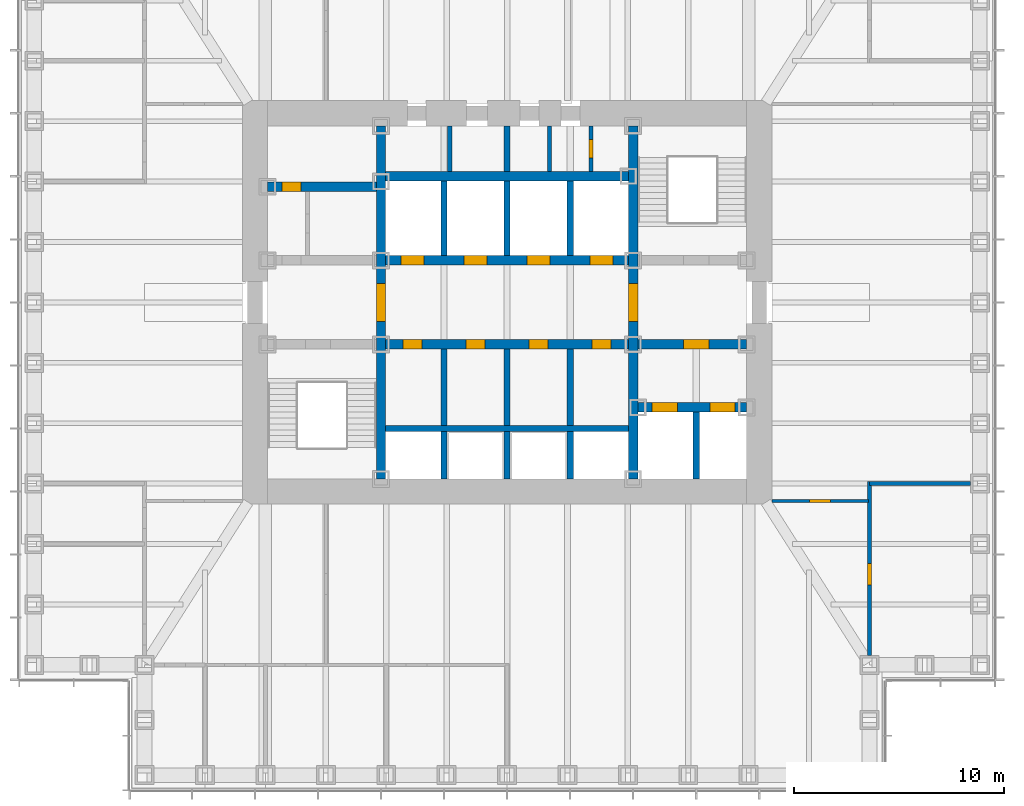
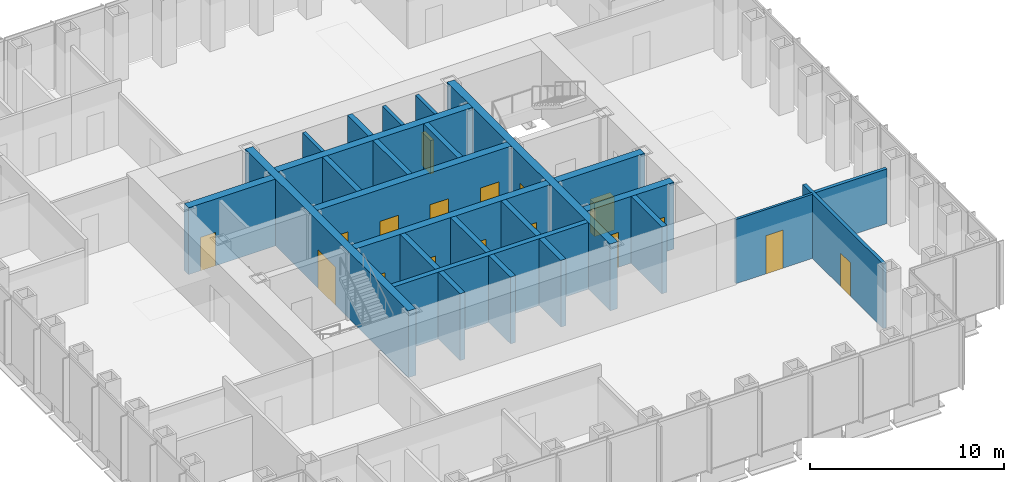
# One storey, part 9 of 17: 26 walls, 17 doors, 17 openings.
"""IFC4 building model written with IfcOpenShell, lengths in metres."""

from ifc_helpers import new_model, si_unit, direction, frame, frame_2d, origin, place, context, subcontext, project, spatial, rectangle, extrude, material, layer, layer_set, type_object, element, fill, save


model = new_model("IFC4")

# Units and contexts
model_context = context("Model", 3, precision=1e-05, world=origin(), true_north=direction((0.0, 1.0)))
body_context = subcontext(model_context, "Body", "Model", "MODEL_VIEW")
ifc_project = project(units=[si_unit("LENGTHUNIT", "METRE"), si_unit("AREAUNIT", "SQUARE_METRE"), si_unit("VOLUMEUNIT", "CUBIC_METRE"), si_unit("PLANEANGLEUNIT", "RADIAN"), si_unit("MASSUNIT", "GRAM", prefix="KILO")], contexts=[model_context])

# Site, building, storey
site_placement = place(None, origin())
site = spatial("IfcSite", under=ifc_project, at=site_placement, CompositionType="ELEMENT")
building_placement = place(site_placement, origin())
building = spatial("IfcBuilding", under=site, at=building_placement, Name="Daluyong Arena Tower", CompositionType="ELEMENT")
storey_placement = place(building_placement, frame((0.0, 0.0, 158.5)))
storey = spatial("IfcBuildingStorey", under=building, at=storey_placement, Name="L35", CompositionType="ELEMENT", Elevation=158.5)

# Wall, opening, door
ifc_material_1 = material(Name="Concrete fc' 45 MPa", Category="concrete")
ifc_layer_1 = layer(ifc_material_1, 0.449951171875)
ifc_layer_set_1 = layer_set([ifc_layer_1], Name="Concrete fc' 45 MPa")
wall_type_1 = type_object("IfcWallType", Name="Core inner wall 450", PredefinedType="SHEAR", material=ifc_layer_set_1)
wall_1_placement = place(storey_placement, frame((50.0, 71.60009765625, 0.0), z_axis=(0.0, 0.0, 1.0), x_axis=(0.0, 1.0, 0.0)))
wall_1 = element("IfcWall", 1, at=wall_1_placement, inside=storey, type_object=wall_type_1, Name="core inner wall at L35", PredefinedType="SHEAR", context=body_context, shape_type="SweptSolid", body=[
    extrude(rectangle(XDim=16.7998046875, YDim=0.449951171875, at=frame_2d((8.39990234375, 0.0))), origin(), (0.0, 0.0, 1.0), 4.199951171875),
])
opening_1_placement = place(wall_1_placement, frame((7.5, 0.0, 0.0)))
opening_1 = element("IfcOpeningElement", 2, at=opening_1_placement, cuts=wall_1, Name="Opening 35017", PredefinedType="OPENING", context=body_context, shape_type="SweptSolid", body=[
    extrude(rectangle(XDim=1.800048828125, YDim=2.39990234375, at=frame_2d((0.89990234375, 1.199951171875))), frame((0.0, 0.23486328125, 0.0), z_axis=(0.0, -1.0, 0.0), x_axis=(1.0, 0.0, 0.0)), (0.0, 0.0, 1.0), 0.469970703125),
])
ifc_material_2 = material(Name="Steel door, fire rated", Category="steel")
door_type_1 = type_object("IfcDoorType", Name="Lift lobby opening door 1800", OperationType="DOUBLE_DOOR_SINGLE_SWING", PredefinedType="DOOR", material=ifc_material_2)
door_1_placement = place(opening_1_placement, origin())
door_1 = element("IfcDoor", 3, at=door_1_placement, inside=storey, type_object=door_type_1, Name="lift lobby door west 35017", OperationType="DOUBLE_DOOR_SINGLE_SWING", OverallHeight=2.39990234375, OverallWidth=1.800048828125, PredefinedType="DOOR", context=body_context, shape_type="SweptSolid", body=[
    extrude(rectangle(XDim=1.800048828125, YDim=2.39990234375, at=frame_2d((0.89990234375, 1.199951171875))), frame((0.0, 0.224609375, 0.0), z_axis=(0.0, -1.0, 0.0), x_axis=(1.0, 0.0, 0.0)), (0.0, 0.0, 1.0), 0.449462890625),
])
fill(opening_1, door_1)

wall_2_placement = place(storey_placement, frame((62.0, 71.60009765625, 0.0), z_axis=(0.0, 0.0, 1.0), x_axis=(0.0, 1.0, 0.0)))
wall_2 = element("IfcWall", 4, at=wall_2_placement, inside=storey, type_object=wall_type_1, Name="core inner wall at L35", PredefinedType="SHEAR", context=body_context, shape_type="SweptSolid", body=[
    extrude(rectangle(XDim=16.7998046875, YDim=0.449951171875, at=frame_2d((8.39990234375, 0.0))), origin(), (0.0, 0.0, 1.0), 4.199951171875),
])
opening_2_placement = place(wall_2_placement, frame((7.5, 0.0, 0.0)))
opening_2 = element("IfcOpeningElement", 5, at=opening_2_placement, cuts=wall_2, Name="Opening 35018", PredefinedType="OPENING", context=body_context, shape_type="SweptSolid", body=[
    extrude(rectangle(XDim=1.800048828125, YDim=2.39990234375, at=frame_2d((0.89990234375, 1.199951171875))), frame((0.0, 0.23486328125, 0.0), z_axis=(0.0, -1.0, 0.0), x_axis=(1.0, 0.0, 0.0)), (0.0, 0.0, 1.0), 0.469970703125),
])
door_2_placement = place(opening_2_placement, origin())
door_2 = element("IfcDoor", 6, at=door_2_placement, inside=storey, type_object=door_type_1, Name="lift lobby door east 35018", OperationType="DOUBLE_DOOR_SINGLE_SWING", OverallHeight=2.39990234375, OverallWidth=1.800048828125, PredefinedType="DOOR", context=body_context, shape_type="SweptSolid", body=[
    extrude(rectangle(XDim=1.800048828125, YDim=2.39990234375, at=frame_2d((0.89990234375, 1.199951171875))), frame((0.0, 0.224609375, 0.0), z_axis=(0.0, -1.0, 0.0), x_axis=(1.0, 0.0, 0.0)), (0.0, 0.0, 1.0), 0.449462890625),
])
fill(opening_2, door_2)

wall_3_placement = place(storey_placement, frame((44.60009765625, 85.5, 0.0), z_axis=(0.0, 0.0, 1.0), x_axis=(1.0, 0.0, 0.0)))
wall_3 = element("IfcWall", 7, at=wall_3_placement, inside=storey, type_object=wall_type_1, Name="core inner wall at L35", PredefinedType="SHEAR", context=body_context, shape_type="SweptSolid", body=[
    extrude(rectangle(XDim=5.1748046875, YDim=0.449951171875, at=frame_2d((2.58740234375, 0.0))), origin(), (0.0, 0.0, 1.0), 4.199951171875),
])
opening_3_placement = place(wall_3_placement, frame((0.699951171875, 0.0, 0.0)))
opening_3 = element("IfcOpeningElement", 8, at=opening_3_placement, cuts=wall_3, Name="Opening 35003", PredefinedType="OPENING", context=body_context, shape_type="SweptSolid", body=[
    extrude(rectangle(XDim=0.89990234375, YDim=2.10009765625, at=frame_2d((0.449951171875, 1.050048828125))), frame((0.0, 0.23486328125, 0.0), z_axis=(0.0, -1.0, 0.0), x_axis=(1.0, 0.0, 0.0)), (0.0, 0.0, 1.0), 0.469970703125),
])
ifc_material_3 = material(Name="Timber door", Category="wood")
door_type_2 = type_object("IfcDoorType", Name="Toilet door 900", OperationType="SINGLE_SWING_RIGHT", PredefinedType="DOOR", material=ifc_material_3)
door_3_placement = place(opening_3_placement, origin())
door_3 = element("IfcDoor", 9, at=door_3_placement, inside=storey, type_object=door_type_2, Name="female toilet door 35003", OperationType="SINGLE_SWING_RIGHT", OverallHeight=2.10009765625, OverallWidth=0.89990234375, PredefinedType="DOOR", context=body_context, shape_type="SweptSolid", body=[
    extrude(rectangle(XDim=0.89990234375, YDim=2.10009765625, at=frame_2d((0.449951171875, 1.050048828125))), frame((0.0, 0.224609375, 0.0), z_axis=(0.0, -1.0, 0.0), x_axis=(1.0, 0.0, 0.0)), (0.0, 0.0, 1.0), 0.449462890625),
])
fill(opening_3, door_3)

# Wall, openings, doors
wall_4_placement = place(storey_placement, frame((62.22509765625, 75.0, 0.0), z_axis=(0.0, 0.0, 1.0), x_axis=(1.0, 0.0, 0.0)))
wall_4 = element("IfcWall", 10, at=wall_4_placement, inside=storey, type_object=wall_type_1, Name="core inner wall at L35", PredefinedType="SHEAR", context=body_context, shape_type="SweptSolid", body=[
    extrude(rectangle(XDim=5.1748046875, YDim=0.449951171875, at=frame_2d((2.58740234375, 0.0))), origin(), (0.0, 0.0, 1.0), 4.199951171875),
])
opening_4_placement = place(wall_4_placement, frame((0.675048828125, 0.0, 0.0)))
opening_4 = element("IfcOpeningElement", 11, at=opening_4_placement, cuts=wall_4, Name="Opening 35024", PredefinedType="OPENING", context=body_context, shape_type="SweptSolid", body=[
    extrude(rectangle(XDim=1.199951171875, YDim=2.199951171875, at=frame_2d((0.60009765625, 1.10009765625))), frame((0.0, 0.23486328125, 0.0), z_axis=(0.0, -1.0, 0.0), x_axis=(1.0, 0.0, 0.0)), (0.0, 0.0, 1.0), 0.469970703125),
])
opening_5_placement = place(wall_4_placement, frame((3.425048828125, 0.0, 0.0)))
opening_5 = element("IfcOpeningElement", 12, at=opening_5_placement, cuts=wall_4, Name="Opening 35025", PredefinedType="OPENING", context=body_context, shape_type="SweptSolid", body=[
    extrude(rectangle(XDim=1.199951171875, YDim=2.199951171875, at=frame_2d((0.60009765625, 1.10009765625))), frame((0.0, 0.23486328125, 0.0), z_axis=(0.0, -1.0, 0.0), x_axis=(1.0, 0.0, 0.0)), (0.0, 0.0, 1.0), 0.469970703125),
])
ifc_material_4 = material(Name="Steel door, fire rated", Category="steel")
door_type_3 = type_object("IfcDoorType", Name="Firefighting lift landing door 1200", OperationType="SLIDING_TO_LEFT", PredefinedType="DOOR", material=ifc_material_4)
door_4_placement = place(opening_4_placement, origin())
door_4 = element("IfcDoor", 13, at=door_4_placement, inside=storey, type_object=door_type_3, Name="firefighting lift landing door F1 35024", OperationType="SLIDING_TO_LEFT", OverallHeight=2.199951171875, OverallWidth=1.199951171875, PredefinedType="DOOR", context=body_context, shape_type="SweptSolid", body=[
    extrude(rectangle(XDim=1.199951171875, YDim=2.199951171875, at=frame_2d((0.60009765625, 1.10009765625))), frame((0.0, 0.224609375, 0.0), z_axis=(0.0, -1.0, 0.0), x_axis=(1.0, 0.0, 0.0)), (0.0, 0.0, 1.0), 0.449462890625),
])
fill(opening_4, door_4)
door_5_placement = place(opening_5_placement, origin())
door_5 = element("IfcDoor", 14, at=door_5_placement, inside=storey, type_object=door_type_3, Name="firefighting lift landing door F2 35025", OperationType="SLIDING_TO_LEFT", OverallHeight=2.199951171875, OverallWidth=1.199951171875, PredefinedType="DOOR", context=body_context, shape_type="SweptSolid", body=[
    extrude(rectangle(XDim=1.199951171875, YDim=2.199951171875, at=frame_2d((0.60009765625, 1.10009765625))), frame((0.0, 0.224609375, 0.0), z_axis=(0.0, -1.0, 0.0), x_axis=(1.0, 0.0, 0.0)), (0.0, 0.0, 1.0), 0.449462890625),
])
fill(opening_5, door_5)

# Wall, opening, door
wall_5_placement = place(storey_placement, frame((62.22509765625, 78.0, 0.0), z_axis=(0.0, 0.0, 1.0), x_axis=(1.0, 0.0, 0.0)))
wall_5 = element("IfcWall", 15, at=wall_5_placement, inside=storey, type_object=wall_type_1, Name="core inner wall at L35", PredefinedType="SHEAR", context=body_context, shape_type="SweptSolid", body=[
    extrude(rectangle(XDim=5.1748046875, YDim=0.449951171875, at=frame_2d((2.58740234375, 0.0))), origin(), (0.0, 0.0, 1.0), 4.199951171875),
])
opening_6_placement = place(wall_5_placement, frame((2.175048828125, 0.0, 0.0)))
opening_6 = element("IfcOpeningElement", 16, at=opening_6_placement, cuts=wall_5, Name="Opening 35019", PredefinedType="OPENING", context=body_context, shape_type="SweptSolid", body=[
    extrude(rectangle(XDim=1.199951171875, YDim=2.10009765625, at=frame_2d((0.60009765625, 1.050048828125))), frame((0.0, 0.23486328125, 0.0), z_axis=(0.0, -1.0, 0.0), x_axis=(1.0, 0.0, 0.0)), (0.0, 0.0, 1.0), 0.469970703125),
])
ifc_material_5 = material(Name="Steel door, fire rated", Category="steel")
door_type_4 = type_object("IfcDoorType", Name="Firefighting lobby door 1200", OperationType="SINGLE_SWING_RIGHT", PredefinedType="DOOR", material=ifc_material_5)
door_6_placement = place(opening_6_placement, origin())
door_6 = element("IfcDoor", 17, at=door_6_placement, inside=storey, type_object=door_type_4, Name="firefighting lobby door 35019", OperationType="SINGLE_SWING_RIGHT", OverallHeight=2.10009765625, OverallWidth=1.199951171875, PredefinedType="DOOR", context=body_context, shape_type="SweptSolid", body=[
    extrude(rectangle(XDim=1.199951171875, YDim=2.10009765625, at=frame_2d((0.60009765625, 1.050048828125))), frame((0.0, 0.224609375, 0.0), z_axis=(0.0, -1.0, 0.0), x_axis=(1.0, 0.0, 0.0)), (0.0, 0.0, 1.0), 0.449462890625),
])
fill(opening_6, door_6)

# Wall, openings, doors
wall_6_placement = place(storey_placement, frame((50.22509765625, 78.0, 0.0), z_axis=(0.0, 0.0, 1.0), x_axis=(1.0, 0.0, 0.0)))
wall_6 = element("IfcWall", 18, at=wall_6_placement, inside=storey, type_object=wall_type_1, Name="core inner wall at L35", PredefinedType="SHEAR", context=body_context, shape_type="SweptSolid", body=[
    extrude(rectangle(XDim=11.5498046875, YDim=0.449951171875, at=frame_2d((5.77490234375, 0.0))), origin(), (0.0, 0.0, 1.0), 4.199951171875),
])
opening_7_placement = place(wall_6_placement, frame((0.824951171875, 0.0, 0.0)))
opening_7 = element("IfcOpeningElement", 19, at=opening_7_placement, cuts=wall_6, Name="Opening 35009", PredefinedType="OPENING", context=body_context, shape_type="SweptSolid", body=[
    extrude(rectangle(XDim=0.89990234375, YDim=2.10009765625, at=frame_2d((0.449951171875, 1.050048828125))), frame((0.0, 0.23486328125, 0.0), z_axis=(0.0, -1.0, 0.0), x_axis=(1.0, 0.0, 0.0)), (0.0, 0.0, 1.0), 0.469970703125),
])
opening_8_placement = place(wall_6_placement, frame((3.824951171875, 0.0, 0.0)))
opening_8 = element("IfcOpeningElement", 20, at=opening_8_placement, cuts=wall_6, Name="Opening 35010", PredefinedType="OPENING", context=body_context, shape_type="SweptSolid", body=[
    extrude(rectangle(XDim=0.89990234375, YDim=2.10009765625, at=frame_2d((0.449951171875, 1.050048828125))), frame((0.0, 0.23486328125, 0.0), z_axis=(0.0, -1.0, 0.0), x_axis=(1.0, 0.0, 0.0)), (0.0, 0.0, 1.0), 0.469970703125),
])
opening_9_placement = place(wall_6_placement, frame((6.824951171875, 0.0, 0.0)))
opening_9 = element("IfcOpeningElement", 21, at=opening_9_placement, cuts=wall_6, Name="Opening 35011", PredefinedType="OPENING", context=body_context, shape_type="SweptSolid", body=[
    extrude(rectangle(XDim=0.89990234375, YDim=2.10009765625, at=frame_2d((0.449951171875, 1.050048828125))), frame((0.0, 0.23486328125, 0.0), z_axis=(0.0, -1.0, 0.0), x_axis=(1.0, 0.0, 0.0)), (0.0, 0.0, 1.0), 0.469970703125),
])
opening_10_placement = place(wall_6_placement, frame((9.824951171875, 0.0, 0.0)))
opening_10 = element("IfcOpeningElement", 22, at=opening_10_placement, cuts=wall_6, Name="Opening 35012", PredefinedType="OPENING", context=body_context, shape_type="SweptSolid", body=[
    extrude(rectangle(XDim=0.89990234375, YDim=2.10009765625, at=frame_2d((0.449951171875, 1.050048828125))), frame((0.0, 0.23486328125, 0.0), z_axis=(0.0, -1.0, 0.0), x_axis=(1.0, 0.0, 0.0)), (0.0, 0.0, 1.0), 0.469970703125),
])
ifc_material_6 = material(Name="Steel door, fire rated", Category="steel")
door_type_5 = type_object("IfcDoorType", Name="Core room door 900", OperationType="SINGLE_SWING_LEFT", PredefinedType="DOOR", material=ifc_material_6)
door_7_placement = place(opening_7_placement, origin())
door_7 = element("IfcDoor", 23, at=door_7_placement, inside=storey, type_object=door_type_5, Name="mail room door 35009", OperationType="SINGLE_SWING_LEFT", OverallHeight=2.10009765625, OverallWidth=0.89990234375, PredefinedType="DOOR", context=body_context, shape_type="SweptSolid", body=[
    extrude(rectangle(XDim=0.89990234375, YDim=2.10009765625, at=frame_2d((0.449951171875, 1.050048828125))), frame((0.0, 0.224609375, 0.0), z_axis=(0.0, -1.0, 0.0), x_axis=(1.0, 0.0, 0.0)), (0.0, 0.0, 1.0), 0.449462890625),
])
fill(opening_7, door_7)
door_8_placement = place(opening_8_placement, origin())
door_8 = element("IfcDoor", 24, at=door_8_placement, inside=storey, type_object=door_type_5, Name="tea point door 35010", OperationType="SINGLE_SWING_LEFT", OverallHeight=2.10009765625, OverallWidth=0.89990234375, PredefinedType="DOOR", context=body_context, shape_type="SweptSolid", body=[
    extrude(rectangle(XDim=0.89990234375, YDim=2.10009765625, at=frame_2d((0.449951171875, 1.050048828125))), frame((0.0, 0.224609375, 0.0), z_axis=(0.0, -1.0, 0.0), x_axis=(1.0, 0.0, 0.0)), (0.0, 0.0, 1.0), 0.449462890625),
])
fill(opening_8, door_8)
door_9_placement = place(opening_10_placement, origin())
door_9 = element("IfcDoor", 25, at=door_9_placement, inside=storey, type_object=door_type_5, Name="print room door 35012", OperationType="SINGLE_SWING_LEFT", OverallHeight=2.10009765625, OverallWidth=0.89990234375, PredefinedType="DOOR", context=body_context, shape_type="SweptSolid", body=[
    extrude(rectangle(XDim=0.89990234375, YDim=2.10009765625, at=frame_2d((0.449951171875, 1.050048828125))), frame((0.0, 0.224609375, 0.0), z_axis=(0.0, -1.0, 0.0), x_axis=(1.0, 0.0, 0.0)), (0.0, 0.0, 1.0), 0.449462890625),
])
fill(opening_10, door_9)
ifc_material_7 = material(Name="Steel door, fire rated", Category="steel")
door_type_6 = type_object("IfcDoorType", Name="Core store door 900", OperationType="SINGLE_SWING_LEFT", PredefinedType="DOOR", material=ifc_material_7)
door_10_placement = place(opening_9_placement, origin())
door_10 = element("IfcDoor", 26, at=door_10_placement, inside=storey, type_object=door_type_6, Name="furniture store door 35011", OperationType="SINGLE_SWING_LEFT", OverallHeight=2.10009765625, OverallWidth=0.89990234375, PredefinedType="DOOR", context=body_context, shape_type="SweptSolid", body=[
    extrude(rectangle(XDim=0.89990234375, YDim=2.10009765625, at=frame_2d((0.449951171875, 1.050048828125))), frame((0.0, 0.224609375, 0.0), z_axis=(0.0, -1.0, 0.0), x_axis=(1.0, 0.0, 0.0)), (0.0, 0.0, 1.0), 0.449462890625),
])
fill(opening_9, door_10)

wall_7_placement = place(storey_placement, frame((50.22509765625, 82.0, 0.0), z_axis=(0.0, 0.0, 1.0), x_axis=(1.0, 0.0, 0.0)))
wall_7 = element("IfcWall", 27, at=wall_7_placement, inside=storey, type_object=wall_type_1, Name="core inner wall at L35", PredefinedType="SHEAR", context=body_context, shape_type="SweptSolid", body=[
    extrude(rectangle(XDim=11.5498046875, YDim=0.449951171875, at=frame_2d((5.77490234375, 0.0))), origin(), (0.0, 0.0, 1.0), 4.199951171875),
])
opening_11_placement = place(wall_7_placement, frame((0.72509765625, 0.0, 0.0)))
opening_11 = element("IfcOpeningElement", 28, at=opening_11_placement, cuts=wall_7, Name="Opening 35020", PredefinedType="OPENING", context=body_context, shape_type="SweptSolid", body=[
    extrude(rectangle(XDim=1.10009765625, YDim=2.199951171875, at=frame_2d((0.550048828125, 1.10009765625))), frame((0.0, 0.23486328125, 0.0), z_axis=(0.0, -1.0, 0.0), x_axis=(1.0, 0.0, 0.0)), (0.0, 0.0, 1.0), 0.469970703125),
])
opening_12_placement = place(wall_7_placement, frame((3.72509765625, 0.0, 0.0)))
opening_12 = element("IfcOpeningElement", 29, at=opening_12_placement, cuts=wall_7, Name="Opening 35021", PredefinedType="OPENING", context=body_context, shape_type="SweptSolid", body=[
    extrude(rectangle(XDim=1.10009765625, YDim=2.199951171875, at=frame_2d((0.550048828125, 1.10009765625))), frame((0.0, 0.23486328125, 0.0), z_axis=(0.0, -1.0, 0.0), x_axis=(1.0, 0.0, 0.0)), (0.0, 0.0, 1.0), 0.469970703125),
])
opening_13_placement = place(wall_7_placement, frame((6.72509765625, 0.0, 0.0)))
opening_13 = element("IfcOpeningElement", 30, at=opening_13_placement, cuts=wall_7, Name="Opening 35022", PredefinedType="OPENING", context=body_context, shape_type="SweptSolid", body=[
    extrude(rectangle(XDim=1.10009765625, YDim=2.199951171875, at=frame_2d((0.550048828125, 1.10009765625))), frame((0.0, 0.23486328125, 0.0), z_axis=(0.0, -1.0, 0.0), x_axis=(1.0, 0.0, 0.0)), (0.0, 0.0, 1.0), 0.469970703125),
])
opening_14_placement = place(wall_7_placement, frame((9.72509765625, 0.0, 0.0)))
opening_14 = element("IfcOpeningElement", 31, at=opening_14_placement, cuts=wall_7, Name="Opening 35023", PredefinedType="OPENING", context=body_context, shape_type="SweptSolid", body=[
    extrude(rectangle(XDim=1.10009765625, YDim=2.199951171875, at=frame_2d((0.550048828125, 1.10009765625))), frame((0.0, 0.23486328125, 0.0), z_axis=(0.0, -1.0, 0.0), x_axis=(1.0, 0.0, 0.0)), (0.0, 0.0, 1.0), 0.469970703125),
])
ifc_material_8 = material(Name="Steel door, fire rated", Category="steel")
door_type_7 = type_object("IfcDoorType", Name="Lift landing door 1100", OperationType="SLIDING_TO_LEFT", PredefinedType="DOOR", material=ifc_material_8)
door_11_placement = place(opening_11_placement, origin())
door_11 = element("IfcDoor", 32, at=door_11_placement, inside=storey, type_object=door_type_7, Name="lift landing door B1 35020", OperationType="SLIDING_TO_LEFT", OverallHeight=2.199951171875, OverallWidth=1.10009765625, PredefinedType="DOOR", context=body_context, shape_type="SweptSolid", body=[
    extrude(rectangle(XDim=1.10009765625, YDim=2.199951171875, at=frame_2d((0.550048828125, 1.10009765625))), frame((0.0, 0.224609375, 0.0), z_axis=(0.0, -1.0, 0.0), x_axis=(1.0, 0.0, 0.0)), (0.0, 0.0, 1.0), 0.449462890625),
])
fill(opening_11, door_11)
door_12_placement = place(opening_12_placement, origin())
door_12 = element("IfcDoor", 33, at=door_12_placement, inside=storey, type_object=door_type_7, Name="lift landing door B2 35021", OperationType="SLIDING_TO_LEFT", OverallHeight=2.199951171875, OverallWidth=1.10009765625, PredefinedType="DOOR", context=body_context, shape_type="SweptSolid", body=[
    extrude(rectangle(XDim=1.10009765625, YDim=2.199951171875, at=frame_2d((0.550048828125, 1.10009765625))), frame((0.0, 0.224609375, 0.0), z_axis=(0.0, -1.0, 0.0), x_axis=(1.0, 0.0, 0.0)), (0.0, 0.0, 1.0), 0.449462890625),
])
fill(opening_12, door_12)
door_13_placement = place(opening_13_placement, origin())
door_13 = element("IfcDoor", 34, at=door_13_placement, inside=storey, type_object=door_type_7, Name="lift landing door B3 35022", OperationType="SLIDING_TO_LEFT", OverallHeight=2.199951171875, OverallWidth=1.10009765625, PredefinedType="DOOR", context=body_context, shape_type="SweptSolid", body=[
    extrude(rectangle(XDim=1.10009765625, YDim=2.199951171875, at=frame_2d((0.550048828125, 1.10009765625))), frame((0.0, 0.224609375, 0.0), z_axis=(0.0, -1.0, 0.0), x_axis=(1.0, 0.0, 0.0)), (0.0, 0.0, 1.0), 0.449462890625),
])
fill(opening_13, door_13)
door_14_placement = place(opening_14_placement, origin())
door_14 = element("IfcDoor", 35, at=door_14_placement, inside=storey, type_object=door_type_7, Name="lift landing door B4 35023", OperationType="SLIDING_TO_LEFT", OverallHeight=2.199951171875, OverallWidth=1.10009765625, PredefinedType="DOOR", context=body_context, shape_type="SweptSolid", body=[
    extrude(rectangle(XDim=1.10009765625, YDim=2.199951171875, at=frame_2d((0.550048828125, 1.10009765625))), frame((0.0, 0.224609375, 0.0), z_axis=(0.0, -1.0, 0.0), x_axis=(1.0, 0.0, 0.0)), (0.0, 0.0, 1.0), 0.449462890625),
])
fill(opening_14, door_14)

# Walls
wall_8_placement = place(storey_placement, frame((50.22509765625, 86.0, 0.0), z_axis=(0.0, 0.0, 1.0), x_axis=(1.0, 0.0, 0.0)))
element("IfcWall", 36, at=wall_8_placement, inside=storey, type_object=wall_type_1, Name="core inner wall at L35", PredefinedType="SHEAR", context=body_context, shape_type="SweptSolid", body=[
    extrude(rectangle(XDim=11.5498046875, YDim=0.449951171875, at=frame_2d((5.77490234375, 0.0))), origin(), (0.0, 0.0, 1.0), 4.199951171875),
])
ifc_material_9 = material(Name="Concrete block partition, fire rated", Category="concrete")
ifc_layer_2 = layer(ifc_material_9, 0.199951171875)
ifc_layer_set_2 = layer_set([ifc_layer_2], Name="Concrete block partition, fire rated")
wall_type_2 = type_object("IfcWallType", Name="Fire-rated partition 200", PredefinedType="PARTITIONING", material=ifc_layer_set_2)
wall_9_placement = place(storey_placement, frame((53.27490234375, 86.22509765625, 0.0), z_axis=(0.0, 0.0, 1.0), x_axis=(0.0, 1.0, 0.0)))
element("IfcWall", 37, at=wall_9_placement, inside=storey, type_object=wall_type_2, Name="core room partition at L35", PredefinedType="PARTITIONING", context=body_context, shape_type="SweptSolid", body=[
    extrude(rectangle(XDim=2.1748046875, YDim=0.199951171875, at=frame_2d((1.08740234375, 0.0))), origin(), (0.0, 0.0, 1.0), 4.0400390625),
])

# Wall, opening, door
wall_10_placement = place(storey_placement, frame((60.0, 86.22509765625, 0.0), z_axis=(0.0, 0.0, 1.0), x_axis=(0.0, 1.0, 0.0)))
wall_10 = element("IfcWall", 38, at=wall_10_placement, inside=storey, type_object=wall_type_2, Name="electrical riser enclosure at L35", PredefinedType="PARTITIONING", context=body_context, shape_type="SweptSolid", body=[
    extrude(rectangle(XDim=2.1748046875, YDim=0.199951171875, at=frame_2d((1.08740234375, 0.0))), origin(), (0.0, 0.0, 1.0), 4.0400390625),
])
opening_15_placement = place(wall_10_placement, frame((0.637451171875, 0.0, 0.0)))
opening_15 = element("IfcOpeningElement", 39, at=opening_15_placement, cuts=wall_10, Name="Opening 35008", PredefinedType="OPENING", context=body_context, shape_type="SweptSolid", body=[
    extrude(rectangle(XDim=0.89990234375, YDim=2.10009765625, at=frame_2d((0.449951171875, 1.050048828125))), frame((0.0, 0.10986328125, 0.0), z_axis=(0.0, -1.0, 0.0), x_axis=(1.0, 0.0, 0.0)), (0.0, 0.0, 1.0), 0.219970703125),
])
ifc_material_10 = material(Name="Steel door, fire rated", Category="steel")
door_type_8 = type_object("IfcDoorType", Name="Riser door 900", OperationType="SINGLE_SWING_LEFT", PredefinedType="DOOR", material=ifc_material_10)
door_15_placement = place(opening_15_placement, origin())
door_15 = element("IfcDoor", 40, at=door_15_placement, inside=storey, type_object=door_type_8, Name="riser door 35008", OperationType="SINGLE_SWING_LEFT", OverallHeight=2.10009765625, OverallWidth=0.89990234375, PredefinedType="DOOR", context=body_context, shape_type="SweptSolid", body=[
    extrude(rectangle(XDim=0.89990234375, YDim=2.10009765625, at=frame_2d((0.449951171875, 1.050048828125))), frame((0.0, 0.099609375, 0.0), z_axis=(0.0, -1.0, 0.0), x_axis=(1.0, 0.0, 0.0)), (0.0, 0.0, 1.0), 0.199462890625),
])
fill(opening_15, door_15)

# Wall
wall_11_placement = place(storey_placement, frame((58.02490234375, 86.22509765625, 0.0), z_axis=(0.0, 0.0, 1.0), x_axis=(0.0, 1.0, 0.0)))
element("IfcWall", 41, at=wall_11_placement, inside=storey, type_object=wall_type_2, Name="core room partition at L35", PredefinedType="PARTITIONING", context=body_context, shape_type="SweptSolid", body=[
    extrude(rectangle(XDim=2.1748046875, YDim=0.199951171875, at=frame_2d((1.08740234375, 0.0))), origin(), (0.0, 0.0, 1.0), 4.0400390625),
])

# Wall, opening, door
ifc_material_11 = material(Name="Glazed aluminium partition", Category="aluminium")
ifc_layer_3 = layer(ifc_material_11, 0.14990234375)
ifc_layer_set_3 = layer_set([ifc_layer_3], Name="Glazed aluminium partition")
wall_type_3 = type_object("IfcWallType", Name="Glazed partition 150", PredefinedType="PARTITIONING", material=ifc_layer_set_3)
wall_12_placement = place(storey_placement, frame((68.60009765625, 70.550048828125, 0.0), z_axis=(0.0, 0.0, 1.0), x_axis=(1.0, 0.0, 0.0)))
wall_12 = element("IfcWall", 42, at=wall_12_placement, inside=storey, type_object=wall_type_3, Name="glazed partition at L35", PredefinedType="PARTITIONING", context=body_context, shape_type="SweptSolid", body=[
    extrude(rectangle(XDim=4.599853515625, YDim=0.14990234375, at=frame_2d((2.2998046875, 0.0))), origin(), (0.0, 0.0, 1.0), 4.0400390625),
])
opening_16_placement = place(wall_12_placement, frame((1.800048828125, 0.0, 0.0)))
opening_16 = element("IfcOpeningElement", 43, at=opening_16_placement, cuts=wall_12, Name="Opening 35044", PredefinedType="OPENING", context=body_context, shape_type="SweptSolid", body=[
    extrude(rectangle(XDim=1.0, YDim=2.39990234375, at=frame_2d((0.5, 1.199951171875))), frame((0.0, 0.0849609375, 0.0), z_axis=(0.0, -1.0, 0.0), x_axis=(1.0, 0.0, 0.0)), (0.0, 0.0, 1.0), 0.169921875),
])
ifc_material_12 = material(Name="Glazed aluminium door", Category="aluminium")
door_type_9 = type_object("IfcDoorType", Name="Meeting room glazed door 1000", OperationType="SINGLE_SWING_RIGHT", PredefinedType="DOOR", material=ifc_material_12)
door_16_placement = place(opening_16_placement, origin())
door_16 = element("IfcDoor", 44, at=door_16_placement, inside=storey, type_object=door_type_9, Name="team area screen door 35044", OperationType="SINGLE_SWING_RIGHT", OverallHeight=2.39990234375, OverallWidth=1.0, PredefinedType="DOOR", context=body_context, shape_type="SweptSolid", body=[
    extrude(rectangle(XDim=1.0, YDim=2.39990234375, at=frame_2d((0.5, 1.199951171875))), frame((0.0, 0.07470703125, 0.0), z_axis=(0.0, -1.0, 0.0), x_axis=(1.0, 0.0, 0.0)), (0.0, 0.0, 1.0), 0.1494140625),
])
fill(opening_16, door_16)

# Walls
ifc_material_13 = material(Name="Concrete fc' 45 MPa", Category="concrete")
ifc_layer_4 = layer(ifc_material_13, 0.300048828125)
ifc_layer_set_4 = layer_set([ifc_layer_4], Name="Concrete fc' 45 MPa")
wall_type_4 = type_object("IfcWallType", Name="Lift shaft wall 300", PredefinedType="SHEAR", material=ifc_layer_set_4)
wall_13_placement = place(storey_placement, frame((50.22509765625, 74.0, 0.0), z_axis=(0.0, 0.0, 1.0), x_axis=(1.0, 0.0, 0.0)))
element("IfcWall", 45, at=wall_13_placement, inside=storey, type_object=wall_type_4, Name="lift shaft wall at L35", PredefinedType="SHEAR", context=body_context, shape_type="SweptSolid", body=[
    extrude(rectangle(XDim=11.5498046875, YDim=0.300048828125, at=frame_2d((5.77490234375, 0.0))), origin(), (0.0, 0.0, 1.0), 4.199951171875),
])
wall_14_placement = place(storey_placement, frame((53.0, 71.60009765625, 0.0), z_axis=(0.0, 0.0, 1.0), x_axis=(0.0, 1.0, 0.0)))
element("IfcWall", 46, at=wall_14_placement, inside=storey, type_object=wall_type_4, Name="lift shaft wall at L35", PredefinedType="SHEAR", context=body_context, shape_type="SweptSolid", body=[
    extrude(rectangle(XDim=2.25, YDim=0.300048828125, at=frame_2d((1.125, 0.0))), origin(), (0.0, 0.0, 1.0), 4.199951171875),
])
wall_15_placement = place(storey_placement, frame((53.0, 74.14990234375, 0.0), z_axis=(0.0, 0.0, 1.0), x_axis=(0.0, 1.0, 0.0)))
element("IfcWall", 47, at=wall_15_placement, inside=storey, type_object=wall_type_4, Name="lift shaft wall at L35", PredefinedType="SHEAR", context=body_context, shape_type="SweptSolid", body=[
    extrude(rectangle(XDim=3.625, YDim=0.300048828125, at=frame_2d((1.8125, 0.0))), origin(), (0.0, 0.0, 1.0), 4.199951171875),
])
wall_16_placement = place(storey_placement, frame((53.0, 82.22509765625, 0.0), z_axis=(0.0, 0.0, 1.0), x_axis=(0.0, 1.0, 0.0)))
element("IfcWall", 48, at=wall_16_placement, inside=storey, type_object=wall_type_4, Name="lift shaft wall at L35", PredefinedType="SHEAR", context=body_context, shape_type="SweptSolid", body=[
    extrude(rectangle(XDim=3.5498046875, YDim=0.300048828125, at=frame_2d((1.77490234375, 0.0))), origin(), (0.0, 0.0, 1.0), 4.199951171875),
])
wall_17_placement = place(storey_placement, frame((56.0, 71.60009765625, 0.0), z_axis=(0.0, 0.0, 1.0), x_axis=(0.0, 1.0, 0.0)))
element("IfcWall", 49, at=wall_17_placement, inside=storey, type_object=wall_type_4, Name="lift shaft wall at L35", PredefinedType="SHEAR", context=body_context, shape_type="SweptSolid", body=[
    extrude(rectangle(XDim=2.25, YDim=0.300048828125, at=frame_2d((1.125, 0.0))), origin(), (0.0, 0.0, 1.0), 4.199951171875),
])
wall_18_placement = place(storey_placement, frame((56.0, 74.14990234375, 0.0), z_axis=(0.0, 0.0, 1.0), x_axis=(0.0, 1.0, 0.0)))
element("IfcWall", 50, at=wall_18_placement, inside=storey, type_object=wall_type_4, Name="lift shaft wall at L35", PredefinedType="SHEAR", context=body_context, shape_type="SweptSolid", body=[
    extrude(rectangle(XDim=3.625, YDim=0.300048828125, at=frame_2d((1.8125, 0.0))), origin(), (0.0, 0.0, 1.0), 4.199951171875),
])
wall_19_placement = place(storey_placement, frame((56.0, 82.22509765625, 0.0), z_axis=(0.0, 0.0, 1.0), x_axis=(0.0, 1.0, 0.0)))
element("IfcWall", 51, at=wall_19_placement, inside=storey, type_object=wall_type_4, Name="lift shaft wall at L35", PredefinedType="SHEAR", context=body_context, shape_type="SweptSolid", body=[
    extrude(rectangle(XDim=3.5498046875, YDim=0.300048828125, at=frame_2d((1.77490234375, 0.0))), origin(), (0.0, 0.0, 1.0), 4.199951171875),
])
wall_20_placement = place(storey_placement, frame((59.0, 71.60009765625, 0.0), z_axis=(0.0, 0.0, 1.0), x_axis=(0.0, 1.0, 0.0)))
element("IfcWall", 52, at=wall_20_placement, inside=storey, type_object=wall_type_4, Name="lift shaft wall at L35", PredefinedType="SHEAR", context=body_context, shape_type="SweptSolid", body=[
    extrude(rectangle(XDim=2.25, YDim=0.300048828125, at=frame_2d((1.125, 0.0))), origin(), (0.0, 0.0, 1.0), 4.199951171875),
])
wall_21_placement = place(storey_placement, frame((59.0, 74.14990234375, 0.0), z_axis=(0.0, 0.0, 1.0), x_axis=(0.0, 1.0, 0.0)))
element("IfcWall", 53, at=wall_21_placement, inside=storey, type_object=wall_type_4, Name="lift shaft wall at L35", PredefinedType="SHEAR", context=body_context, shape_type="SweptSolid", body=[
    extrude(rectangle(XDim=3.625, YDim=0.300048828125, at=frame_2d((1.8125, 0.0))), origin(), (0.0, 0.0, 1.0), 4.199951171875),
])
wall_22_placement = place(storey_placement, frame((59.0, 82.22509765625, 0.0), z_axis=(0.0, 0.0, 1.0), x_axis=(0.0, 1.0, 0.0)))
element("IfcWall", 54, at=wall_22_placement, inside=storey, type_object=wall_type_4, Name="lift shaft wall at L35", PredefinedType="SHEAR", context=body_context, shape_type="SweptSolid", body=[
    extrude(rectangle(XDim=3.5498046875, YDim=0.300048828125, at=frame_2d((1.77490234375, 0.0))), origin(), (0.0, 0.0, 1.0), 4.199951171875),
])
wall_23_placement = place(storey_placement, frame((65.0, 71.60009765625, 0.0), z_axis=(0.0, 0.0, 1.0), x_axis=(0.0, 1.0, 0.0)))
element("IfcWall", 55, at=wall_23_placement, inside=storey, type_object=wall_type_4, Name="lift shaft wall at L35", PredefinedType="SHEAR", context=body_context, shape_type="SweptSolid", body=[
    extrude(rectangle(XDim=3.1748046875, YDim=0.300048828125, at=frame_2d((1.58740234375, 0.0))), origin(), (0.0, 0.0, 1.0), 4.199951171875),
])
wall_24_placement = place(storey_placement, frame((56.0, 86.22509765625, 0.0), z_axis=(0.0, 0.0, 1.0), x_axis=(0.0, 1.0, 0.0)))
element("IfcWall", 56, at=wall_24_placement, inside=storey, type_object=wall_type_4, Name="lift shaft wall at L35", PredefinedType="SHEAR", context=body_context, shape_type="SweptSolid", body=[
    extrude(rectangle(XDim=2.1748046875, YDim=0.300048828125, at=frame_2d((1.08740234375, 0.0))), origin(), (0.0, 0.0, 1.0), 4.199951171875),
])
ifc_material_14 = material(Name="Concrete block partition", Category="concrete")
ifc_layer_5 = layer(ifc_material_14, 0.199951171875)
ifc_layer_set_5 = layer_set([ifc_layer_5], Name="Concrete block partition")
wall_type_5 = type_object("IfcWallType", Name="Partition 200", PredefinedType="PARTITIONING", material=ifc_layer_set_5)
wall_25_placement = place(storey_placement, frame((73.25, 71.375, 0.0), z_axis=(0.0, 0.0, 1.0), x_axis=(1.0, 0.0, 0.0)))
element("IfcWall", 57, at=wall_25_placement, inside=storey, type_object=wall_type_5, Name="partition at L35", PredefinedType="PARTITIONING", context=body_context, shape_type="SweptSolid", body=[
    extrude(rectangle(XDim=4.800048828125, YDim=0.199951171875, at=frame_2d((2.39990234375, 0.0))), origin(), (0.0, 0.0, 1.0), 3.427978515625),
])

# Wall, opening, door
wall_26_placement = place(storey_placement, frame((73.25, 63.199951171875, 0.0), z_axis=(0.0, 0.0, 1.0), x_axis=(0.0, 1.0, 0.0)))
wall_26 = element("IfcWall", 58, at=wall_26_placement, inside=storey, type_object=wall_type_5, Name="partition at L35", PredefinedType="PARTITIONING", context=body_context, shape_type="SweptSolid", body=[
    extrude(rectangle(XDim=8.275146484375, YDim=0.199951171875, at=frame_2d((4.1376953125, 0.0))), origin(), (0.0, 0.0, 1.0), 4.0400390625),
])
opening_17_placement = place(wall_26_placement, frame((3.362548828125, 0.0, 0.0)))
opening_17 = element("IfcOpeningElement", 59, at=opening_17_placement, cuts=wall_26, Name="Opening 35030", PredefinedType="OPENING", context=body_context, shape_type="SweptSolid", body=[
    extrude(rectangle(XDim=1.0, YDim=2.10009765625, at=frame_2d((0.5, 1.050048828125))), frame((0.0, 0.10986328125, 0.0), z_axis=(0.0, -1.0, 0.0), x_axis=(1.0, 0.0, 0.0)), (0.0, 0.0, 1.0), 0.219970703125),
])
ifc_material_15 = material(Name="Timber door", Category="wood")
door_type_10 = type_object("IfcDoorType", Name="Room door 1000", OperationType="SINGLE_SWING_LEFT", PredefinedType="DOOR", material=ifc_material_15)
door_17_placement = place(opening_17_placement, origin())
door_17 = element("IfcDoor", 60, at=door_17_placement, inside=storey, type_object=door_type_10, Name="training room door 35030", OperationType="SINGLE_SWING_LEFT", OverallHeight=2.10009765625, OverallWidth=1.0, PredefinedType="DOOR", context=body_context, shape_type="SweptSolid", body=[
    extrude(rectangle(XDim=1.0, YDim=2.10009765625, at=frame_2d((0.5, 1.050048828125))), frame((0.0, 0.099609375, 0.0), z_axis=(0.0, -1.0, 0.0), x_axis=(1.0, 0.0, 0.0)), (0.0, 0.0, 1.0), 0.199462890625),
])
fill(opening_17, door_17)

save(model, "model.ifc")
